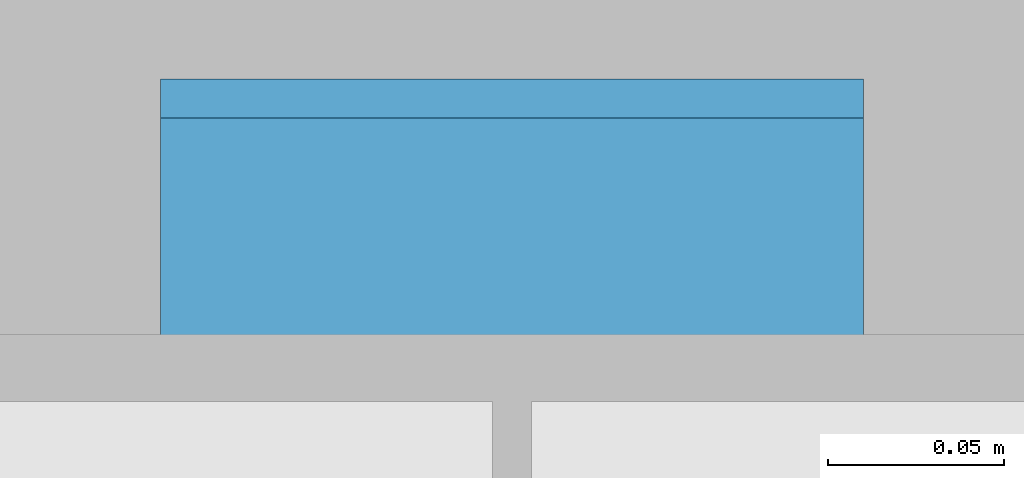
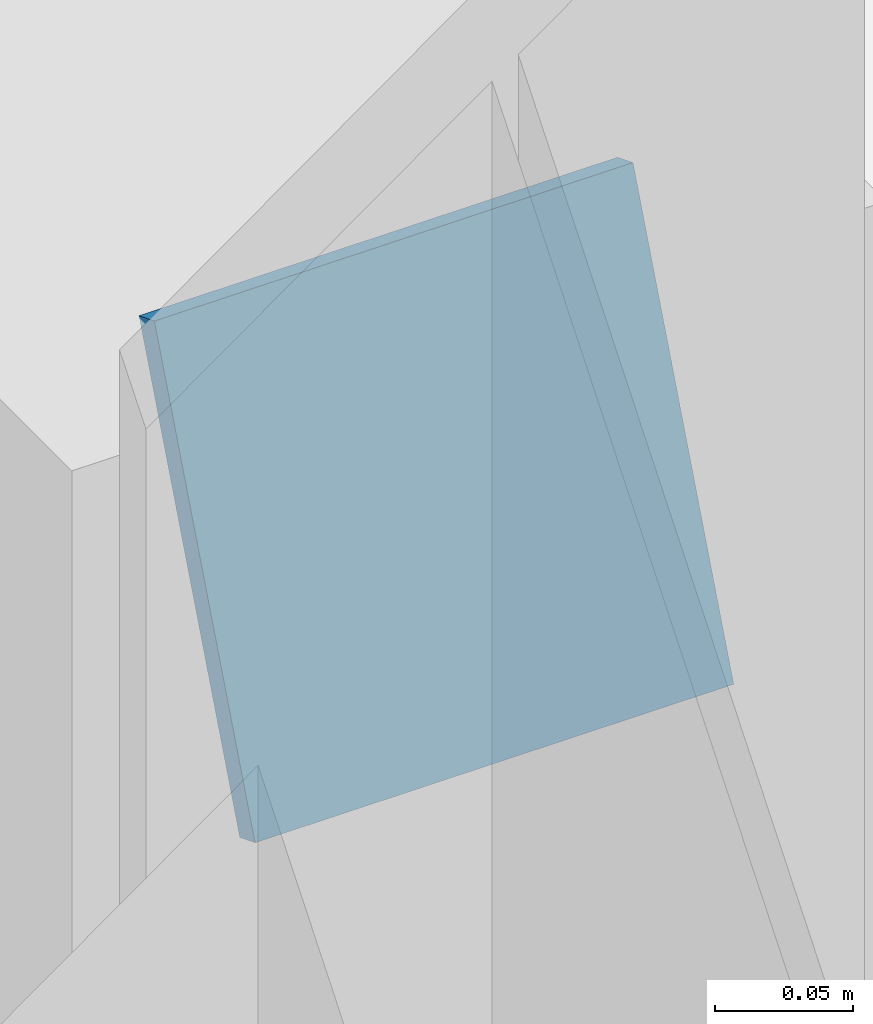
# One storey, part 109 of 132: 1 discrete accessory.
"""IFC4 building model written with IfcOpenShell, lengths in metres."""

import ifcopenshell
import ifcopenshell.guid

model = None  # the IFC model being written
_history = None  # IfcOwnerHistory: only IFC2X3 demands one
_inside = {}  # id of a spatial element -> (the spatial element, [elements in it])
_under = {}  # id of a project, library or spatial element -> (it, [spatial elements below it])
_declared = {}  # id of a project -> (the project, [libraries it declares])
_typed = {}  # id of a type object -> (the type object, [elements of that type])
_made_of = {}  # id of a material, layer set ... -> (it, [elements and type objects made of it])


def new_model(schema):
    """Start an empty IFC model of exactly this schema.

    Asked for "IFC4X3", IfcOpenShell would pick the latest addendum, in which some entities
    have other attributes; the version numbers below select the first issue.
    IFC2X3 requires an IfcOwnerHistory on every rooted entity: one is made here for all.
    """
    global model, _history
    if schema == "IFC4X3":
        model = ifcopenshell.file(schema_version=(4, 3, 0, 0))
    else:
        model = ifcopenshell.file(schema=schema)
    _inside.clear()
    _under.clear()
    _declared.clear()
    _typed.clear()
    _made_of.clear()
    _history = None
    if model.schema == "IFC2X3":
        org = make("IfcOrganization", Name="unknown")
        user = make(
            "IfcPersonAndOrganization",
            ThePerson=make("IfcPerson", FamilyName="unknown"),
            TheOrganization=org,
        )
        app = make(
            "IfcApplication",
            ApplicationDeveloper=org,
            Version="unknown",
            ApplicationFullName="unknown",
            ApplicationIdentifier="unknown",
        )
        _history = make(
            "IfcOwnerHistory",
            OwningUser=user,
            OwningApplication=app,
            ChangeAction="ADDED",
            CreationDate=0,
        )
    return model


def make(cls, **values):
    """One entity of the class cls with the attributes given. An attribute that is None is left unset."""
    return model.create_entity(
        cls, **{name: value for name, value in values.items() if value is not None}
    )


def rooted(cls, **values):
    """An entity with a GlobalId (a new one), such as an element, a storey or a relation."""
    return make(cls, GlobalId=ifcopenshell.guid.new(), OwnerHistory=_history, **values)


def si_unit(unit_type, name, prefix=None):
    """IfcSIUnit, for example si_unit("LENGTHUNIT", "METRE", prefix="MILLI")."""
    return make("IfcSIUnit", UnitType=unit_type, Prefix=prefix, Name=name)


def assignment(units):
    """IfcUnitAssignment: the units of a project."""
    return None if units is None else make("IfcUnitAssignment", Units=units)


def point(xyz):
    """IfcCartesianPoint."""
    return None if xyz is None else make("IfcCartesianPoint", Coordinates=xyz)


def direction(xyz):
    """IfcDirection."""
    return None if xyz is None else make("IfcDirection", DirectionRatios=xyz)


def frame(location, z_axis=None, x_axis=None):
    """IfcAxis2Placement3D, a coordinate frame: its origin and axes. An axis left out is left unset."""
    return make(
        "IfcAxis2Placement3D",
        Location=point(location),
        Axis=direction(z_axis),
        RefDirection=direction(x_axis),
    )


def frame_2d(location, x_axis=None):
    """IfcAxis2Placement2D, a coordinate frame in the plane: its origin and x axis."""
    return make(
        "IfcAxis2Placement2D", Location=point(location), RefDirection=direction(x_axis)
    )


def origin():
    """The frame at (0, 0, 0) with its axes left unset."""
    return frame((0.0, 0.0, 0.0))


def origin_2d():
    """The frame at (0, 0) in the plane with its x axis left unset."""
    return frame_2d((0.0, 0.0))


def place(relative_to, where):
    """IfcLocalPlacement: puts the frame where relative to a parent placement (None: the world)."""
    return make(
        "IfcLocalPlacement", PlacementRelTo=relative_to, RelativePlacement=where
    )


def context(
    kind, dimensions, precision=None, world=None, true_north=None, identifier=None
):
    """IfcGeometricRepresentationContext, for example the 3D "Model" context."""
    return make(
        "IfcGeometricRepresentationContext",
        ContextIdentifier=identifier,
        ContextType=kind,
        CoordinateSpaceDimension=dimensions,
        Precision=precision,
        WorldCoordinateSystem=world,
        TrueNorth=true_north,
    )


def subcontext(parent, identifier, kind, view, scale=None):
    """IfcGeometricRepresentationSubContext, for example "Body" below "Model"."""
    return make(
        "IfcGeometricRepresentationSubContext",
        ContextIdentifier=identifier,
        ContextType=kind,
        ParentContext=parent,
        TargetScale=scale,
        TargetView=view,
    )


def project(units=None, contexts=None):
    """IfcProject with its units and contexts."""
    return rooted(
        "IfcProject",
        Name="project",
        RepresentationContexts=contexts,
        UnitsInContext=assignment(units),
    )


def spatial(cls, under=None, at=None, **own):
    """A site, building, storey or space (cls), placed at a placement, below another one or the project."""
    s = rooted(cls, ObjectPlacement=at, **own)
    if under is not None:
        _under.setdefault(under.id(), (under, []))[1].append(s)
    return s


def profile(cls, at=None, kind="AREA", **sizes):
    """A parametric profile (cls). Its sizes go by their IFC names, for example OverallWidth=200.0."""
    return make(cls, ProfileType=kind, Position=at, **sizes)


def rectangle(**sizes):
    """IfcRectangleProfileDef."""
    return profile("IfcRectangleProfileDef", **sizes)


def extrude(swept, where, along, depth):
    """IfcExtrudedAreaSolid: the profile swept, set in the frame where, extruded along a direction by depth."""
    return make(
        "IfcExtrudedAreaSolid",
        SweptArea=swept,
        Position=where,
        ExtrudedDirection=direction(along),
        Depth=depth,
    )


def shape(context_of_items, identifier, shape_type, items):
    """IfcShapeRepresentation: the items that make up one representation, for example the "Body"."""
    return make(
        "IfcShapeRepresentation",
        ContextOfItems=context_of_items,
        RepresentationIdentifier=identifier,
        RepresentationType=shape_type,
        Items=items,
    )


def material(Name=None, Category=None):
    """IfcMaterial."""
    return make("IfcMaterial", Name=Name, Category=Category)


def material_profile(
    of_material, cross_section, Name=None, Category=None, Priority=None
):
    """IfcMaterialProfile: a cross section and its material."""
    return make(
        "IfcMaterialProfile",
        Name=Name,
        Material=of_material,
        Profile=cross_section,
        Priority=Priority,
        Category=Category,
    )


def profile_set(profiles, Name=None, composite=None):
    """IfcMaterialProfileSet."""
    return make(
        "IfcMaterialProfileSet",
        Name=Name,
        MaterialProfiles=profiles,
        CompositeProfile=composite,
    )


def made_of(thing, what):
    """Note that an element or type object is made of a material, layer set ...; save() writes the relation."""
    if what is not None:
        _made_of.setdefault(what.id(), (what, []))[1].append(thing)
    return thing


def type_object(cls, material=None, **own):
    """A type object (cls), such as IfcWallType, which elements share."""
    return made_of(rooted(cls, **own), material)


def element(
    cls,
    number,
    at=None,
    inside=None,
    cuts=None,
    type_object=None,
    material=None,
    context=None,
    identifier="Body",
    shape_type=None,
    held_by="IfcProductDefinitionShape",
    body=None,
    shapes=None,
    **own,
):
    """One element of the class cls, such as IfcWall. Its Tag is "e" and its number.

    at: its placement. inside: the storey or other place that contains it. cuts: it is an
    opening in that element (IfcRelVoidsElement). A single representation is given by context,
    identifier, shape_type and body (its items); several are given by shapes. held_by: the class
    of the entity that holds the representations. save() writes the other relations.
    """
    e = rooted(cls, Tag="e%d" % number, ObjectPlacement=at, **own)
    if body is not None:
        shapes = [shape(context, identifier, shape_type, body)]
    if shapes is not None:
        e.Representation = make(held_by, Representations=shapes)
    if inside is not None:
        _inside.setdefault(inside.id(), (inside, []))[1].append(e)
    if cuts is not None:
        rooted(
            "IfcRelVoidsElement", RelatingBuildingElement=cuts, RelatedOpeningElement=e
        )
    if type_object is not None:
        _typed.setdefault(type_object.id(), (type_object, []))[1].append(e)
    return made_of(e, material)


def aggregate(whole, parts):
    """IfcRelAggregates: a whole, such as a stair, and the parts it consists of."""
    return rooted("IfcRelAggregates", RelatingObject=whole, RelatedObjects=parts)


def save(model, path):
    """Write the relations noted so far, then the file.

    IfcRelAggregates (storeys below a building ...), IfcRelContainedInSpatialStructure (elements
    in a storey), IfcRelDefinesByType, IfcRelAssociatesMaterial and IfcRelDeclares: one each for
    every whole, place, type object, material and project.
    """
    for whole, parts in _under.values():
        aggregate(whole, parts)
    for where, things in _inside.values():
        rooted(
            "IfcRelContainedInSpatialStructure",
            RelatedElements=things,
            RelatingStructure=where,
        )
    for kind, things in _typed.values():
        rooted("IfcRelDefinesByType", RelatedObjects=things, RelatingType=kind)
    for what, things in _made_of.values():
        rooted("IfcRelAssociatesMaterial", RelatedObjects=things, RelatingMaterial=what)
    for by, libraries in _declared.values():
        rooted("IfcRelDeclares", RelatingContext=by, RelatedDefinitions=libraries)
    model.write(path)


model = new_model("IFC4")

# Units and contexts
model_context = context("Model", 3, precision=1e-05, world=origin(), true_north=direction((0.0, 1.0)))
body_context = subcontext(model_context, "Body", "Model", "MODEL_VIEW")
ifc_project = project(units=[si_unit("LENGTHUNIT", "METRE"), si_unit("AREAUNIT", "SQUARE_METRE"), si_unit("VOLUMEUNIT", "CUBIC_METRE"), si_unit("PLANEANGLEUNIT", "RADIAN"), si_unit("MASSUNIT", "GRAM", prefix="KILO")], contexts=[model_context])

# Site, building, storey
site_placement = place(None, origin())
site = spatial("IfcSite", under=ifc_project, at=site_placement, CompositionType="ELEMENT")
building_placement = place(site_placement, origin())
building = spatial("IfcBuilding", under=site, at=building_placement, Name="Ravi Spectrum Wholesale Market", CompositionType="ELEMENT")
storey_placement = place(building_placement, origin())
storey = spatial("IfcBuildingStorey", under=building, at=storey_placement, Name="L00", CompositionType="ELEMENT", Elevation=0.0)

# Discrete accessory
ifc_material = material(Name="Steel S355", Category="steel")
ifc_material_profile = material_profile(ifc_material, rectangle(XDim=0.199951171875, YDim=0.199951171875, at=origin_2d()))
ifc_profile_set = profile_set([ifc_material_profile], Name="Steel S355")
discrete_accessory_type = type_object("IfcDiscreteAccessoryType", Name="End plate SHS 200x200x8", PredefinedType="BRACKET", material=ifc_profile_set)
discrete_accessory_placement = place(storey_placement, frame((60.0, 222.186279296875, 4.606689453125), z_axis=(0.0, -0.931242779706, 0.364399348581), x_axis=(1.0, 0.0, 0.0)))
element("IfcDiscreteAccessory", 1, at=discrete_accessory_placement, inside=storey, type_object=discrete_accessory_type, Name="End plate", PredefinedType="BRACKET", context=body_context, shape_type="SweptSolid", body=[
    extrude(rectangle(XDim=0.199951171875, YDim=0.199951171875, at=origin_2d()), origin(), (0.0, 0.0, 1.0), 0.011962890625),
])

save(model, "model.ifc")
